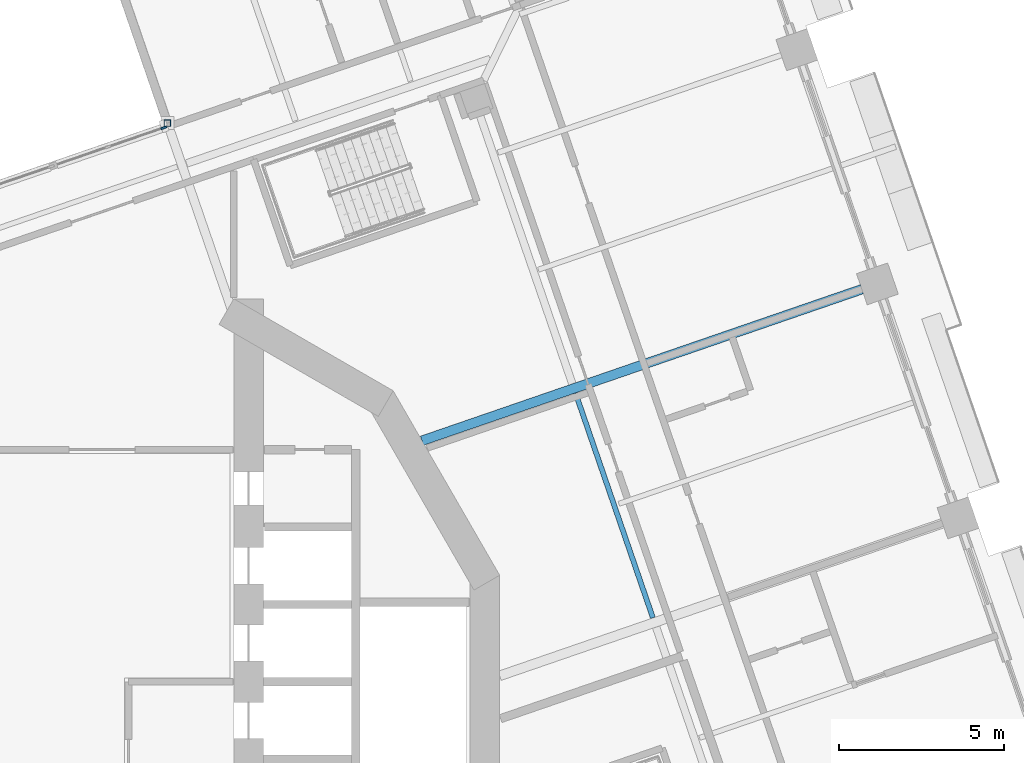
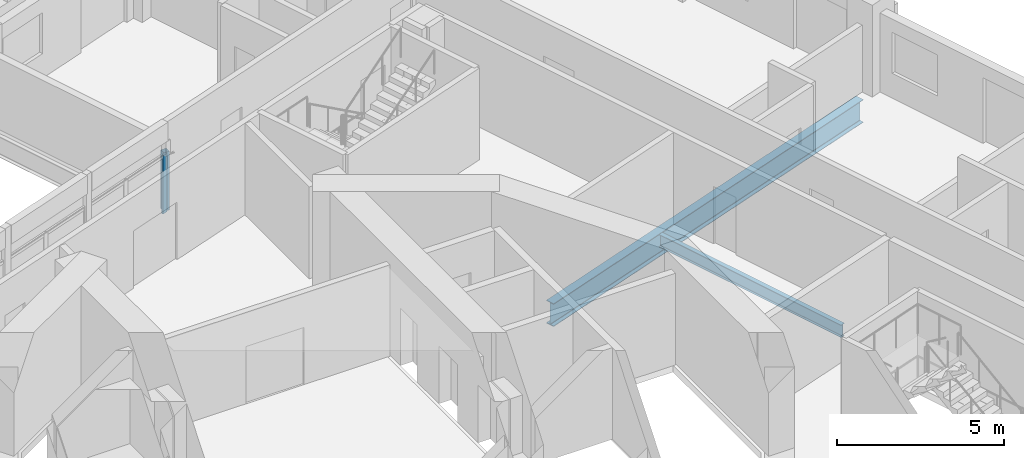
# One storey, part 4 of 22: 2 beams, 2 members, 1 element without a shape of its own.
"""IFC4 building model written with IfcOpenShell, lengths in metres."""

from ifc_helpers import new_model, si_unit, direction, frame, origin, origin_2d, place, context, subcontext, project, spatial, rectangle, hollow_rectangle, i_section, extrude, material, material_profile, profile_set, type_object, element, aggregate, save


model = new_model("IFC4")

# Units and contexts
model_context = context("Model", 3, precision=1e-05, world=origin(), true_north=direction((0.0, 1.0)))
body_context = subcontext(model_context, "Body", "Model", "MODEL_VIEW")
ifc_project = project(units=[si_unit("LENGTHUNIT", "METRE"), si_unit("AREAUNIT", "SQUARE_METRE"), si_unit("VOLUMEUNIT", "CUBIC_METRE"), si_unit("PLANEANGLEUNIT", "RADIAN"), si_unit("MASSUNIT", "GRAM", prefix="KILO")], contexts=[model_context])

# Site, building, storey
site_placement = place(None, origin())
site = spatial("IfcSite", under=ifc_project, at=site_placement, CompositionType="ELEMENT")
building_placement = place(site_placement, origin())
building = spatial("IfcBuilding", under=site, at=building_placement, Name="Cantera Rosa Tower", CompositionType="ELEMENT")
storey_placement = place(building_placement, frame((0.0, 0.0, 138.300048828125)))
storey = spatial("IfcBuildingStorey", under=building, at=storey_placement, Name="L29", CompositionType="ELEMENT", Elevation=138.300048828125)

# Curtain wall, member
ifc_material_1 = material(Name="Aluminium frame with clear glass", Category="aluminium")
curtain_wall_type = type_object("IfcCurtainWallType", Name="CW1 TERRACE POCKET GLAZING", PredefinedType="NOTDEFINED", material=ifc_material_1)
curtain_wall_placement = place(storey_placement, origin())
curtain_wall = element("IfcCurtainWall", 1, at=curtain_wall_placement, inside=storey, type_object=curtain_wall_type, Name="CW1 CW1", PredefinedType="NOTDEFINED")
ifc_material_2 = material(Name="Anodised bronze aluminium", Category="aluminium")
ifc_material_profile_1 = material_profile(ifc_material_2, rectangle(XDim=0.06005859375, YDim=0.179931640625, at=origin_2d()), Name="CW-MULLION 60x180 POCKET")
ifc_profile_set_1 = profile_set([ifc_material_profile_1], Name="Anodised bronze aluminium")
member_type_1 = type_object("IfcMemberType", Name="CW-MULLION 60x180 POCKET", PredefinedType="MULLION", material=ifc_profile_set_1)
member_1_placement = place(storey_placement, frame((1.869140625, 16.8251953125, 0.0), z_axis=(0.0, 0.0, 1.0), x_axis=(0.325568154441, -0.945518575605, 0.0)))
member_1 = element("IfcMember", 2, at=member_1_placement, type_object=member_type_1, Name="CW1 mullion 1", PredefinedType="MULLION", context=body_context, shape_type="SweptSolid", body=[
    extrude(rectangle(XDim=0.06005859375, YDim=0.179931640625, at=origin_2d()), origin(), (0.0, 0.0, 1.0), 2.137939453125),
])
aggregate(curtain_wall, [member_1])

# Member
ifc_material_3 = material(Name="Steel ASTM A992 (Fy 345 MPa)", Category="steel")
ifc_material_profile_2 = material_profile(ifc_material_3, hollow_rectangle(XDim=0.199951171875, YDim=0.199951171875, WallThickness=0.010009765625, at=origin_2d()), Name="LINTEL POST RHS 200x200x10")
ifc_profile_set_2 = profile_set([ifc_material_profile_2], Name="Steel ASTM A992 (Fy 345 MPa)")
member_type_2 = type_object("IfcMemberType", Name="LINTEL POST RHS 200x200x10", PredefinedType="USERDEFINED", material=ifc_profile_set_2)
member_2_placement = place(storey_placement, frame((1.983154296875, 16.97021484375, 0.0), z_axis=(0.0, 0.0, 1.0), x_axis=(1.0, 0.0, 0.0)))
element("IfcMember", 3, at=member_2_placement, inside=storey, type_object=member_type_2, Name="LINTEL POST L29-1", ObjectType="LINTEL POST", PredefinedType="USERDEFINED", context=body_context, shape_type="SweptSolid", body=[
    extrude(hollow_rectangle(XDim=0.199951171875, YDim=0.199951171875, WallThickness=0.010009765625, at=origin_2d()), origin(), (0.0, 0.0, 1.0), 2.139892578125),
])

# Beams
ifc_material_4 = material(Name="Steel ASTM A992 (Fy 345 MPa)", Category="steel")
ifc_material_profile_3 = material_profile(ifc_material_4, i_section(OverallWidth=0.154052734375, OverallDepth=0.4599609375, WebThickness=0.009033203125, FlangeThickness=0.015380859375, FilletRadius=0.01025390625, at=origin_2d()), Name="W460X68")
ifc_profile_set_3 = profile_set([ifc_material_profile_3], Name="Steel ASTM A992 (Fy 345 MPa)")
beam_type_1 = type_object("IfcBeamType", Name="STEEL BEAM W460X68", PredefinedType="BEAM", material=ifc_profile_set_3)
beam_1_placement = place(storey_placement, frame((16.72900390625, 1.9423828125, -0.47998046875), z_axis=(-0.325575881702, 0.94551591486, 0.0), x_axis=(-0.94551591486, -0.325575881702, 0.0)))
element("IfcBeam", 4, at=beam_1_placement, inside=storey, type_object=beam_type_1, Name="RB-Z2-10 L29", PredefinedType="BEAM", context=body_context, shape_type="SweptSolid", body=[
    extrude(i_section(OverallWidth=0.154052734375, OverallDepth=0.4599609375, WebThickness=0.009033203125, FlangeThickness=0.015380859375, FilletRadius=0.01025390625, at=origin_2d()), origin(), (0.0, 0.0, 1.0), 7.2197265625),
])
ifc_material_5 = material(Name="Steel ASTM A992 (Fy 345 MPa)", Category="steel")
ifc_material_profile_4 = material_profile(ifc_material_5, i_section(OverallWidth=0.2919921875, OverallDepth=0.8359375, WebThickness=0.013916015625, FlangeThickness=0.018798828125, FilletRadius=0.017822265625, at=origin_2d()), Name="W840X176")
ifc_profile_set_4 = profile_set([ifc_material_profile_4], Name="Steel ASTM A992 (Fy 345 MPa)")
beam_type_2 = type_object("IfcBeamType", Name="STEEL BEAM W840X176", PredefinedType="BEAM", material=ifc_profile_set_4)
beam_2_placement = place(storey_placement, frame((23.07568359375, 11.92236328125, -0.66796875), z_axis=(-0.945516836256, -0.325573205833, 0.0), x_axis=(0.325573205833, -0.945516836256, 0.0)))
element("IfcBeam", 5, at=beam_2_placement, inside=storey, type_object=beam_type_2, Name="G-Z2-03 L29", PredefinedType="BEAM", context=body_context, shape_type="SweptSolid", body=[
    extrude(i_section(OverallWidth=0.2919921875, OverallDepth=0.8359375, WebThickness=0.013916015625, FlangeThickness=0.018798828125, FilletRadius=0.017822265625, at=origin_2d()), origin(), (0.0, 0.0, 1.0), 14.130615234375),
])

save(model, "model.ifc")
